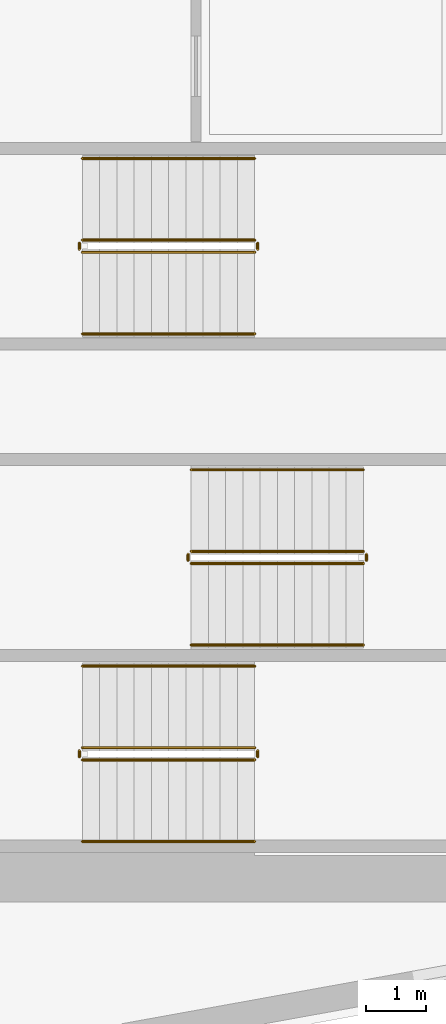
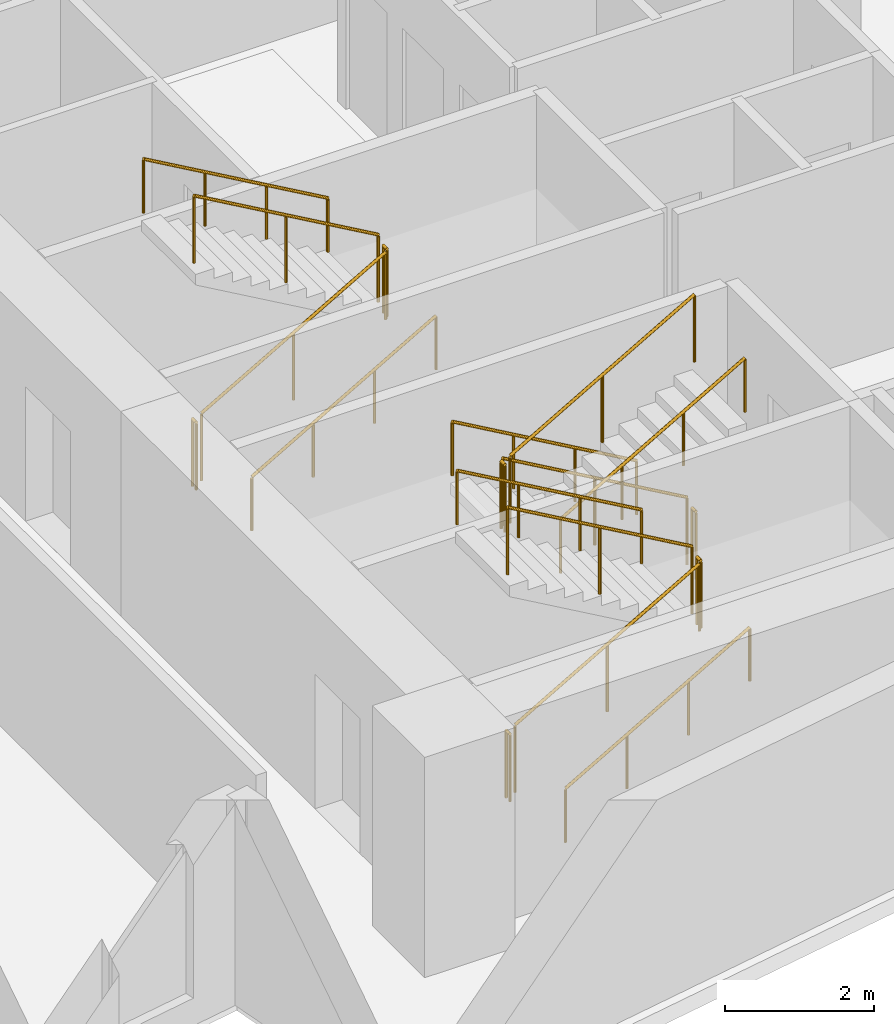
# One storey, part 17 of 18: 18 railings.
"""IFC4 building model written with IfcOpenShell, lengths in metres."""

from ifc_helpers import new_model, si_unit, direction, frame, origin, origin_2d, place, context, subcontext, project, spatial, circle, extrude, material, type_object, element, save


model = new_model("IFC4")

# Units and contexts
model_context = context("Model", 3, precision=1e-05, world=origin(), true_north=direction((0.0, 1.0)))
body_context = subcontext(model_context, "Body", "Model", "MODEL_VIEW")
ifc_project = project(units=[si_unit("LENGTHUNIT", "METRE"), si_unit("AREAUNIT", "SQUARE_METRE"), si_unit("VOLUMEUNIT", "CUBIC_METRE"), si_unit("PLANEANGLEUNIT", "RADIAN"), si_unit("MASSUNIT", "GRAM", prefix="KILO")], contexts=[model_context])

# Site, building, storey
site_placement = place(None, origin())
site = spatial("IfcSite", under=ifc_project, at=site_placement, CompositionType="ELEMENT")
building_placement = place(site_placement, origin())
building = spatial("IfcBuilding", under=site, at=building_placement, Name="Narakoshi Arena Tower", CompositionType="ELEMENT")
storey_placement = place(building_placement, frame((0.0, 0.0, 120.89990234375)))
storey = spatial("IfcBuildingStorey", under=building, at=storey_placement, Name="L32", CompositionType="ELEMENT", Elevation=120.89990234375)

# Railings
ifc_material_1 = material(Name="Clear low-iron laminated structural glass", Category="glass")
railing_type_1 = type_object("IfcRailingType", Name="RL-BAL-1100", PredefinedType="BALUSTRADE", material=ifc_material_1)
railing_1_placement = place(storey_placement, frame((74.39990234375, 36.949951171875, 0.163818359375)))
element("IfcRailing", 1, at=railing_1_placement, inside=storey, type_object=railing_type_1, Name="L32 ST1 stair guard 1", PredefinedType="BALUSTRADE", context=body_context, shape_type="SweptSolid", body=[
    extrude(circle(Radius=0.02392578125, at=origin_2d()), frame((0.0, 0.0, 1.09619140625), z_axis=(0.867244780686, 0.0, 0.497882004468), x_axis=(0.0, 1.0, 0.0)), (0.0, 0.0, 1.0), 3.286376953125),
    extrude(circle(Radius=0.02099609375, at=origin_2d()), origin(), (0.0, 0.0, 1.0), 1.072021484375),
    extrude(circle(Radius=0.02099609375, at=origin_2d()), frame((1.425048828125, 0.0, 0.818115234375)), (0.0, 0.0, 1.0), 1.072021484375),
    extrude(circle(Radius=0.02099609375, at=origin_2d()), frame((2.85009765625, 0.0, 1.63623046875)), (0.0, 0.0, 1.0), 1.072021484375),
])
railing_2_placement = place(storey_placement, frame((77.300048828125, 37.0, 1.800048828125)))
element("IfcRailing", 2, at=railing_2_placement, inside=storey, type_object=railing_type_1, Name="L32 ST1 stair guard 2", PredefinedType="BALUSTRADE", context=body_context, shape_type="SweptSolid", body=[
    extrude(circle(Radius=0.02392578125, at=origin_2d()), frame((0.0, 0.0, 1.09619140625), z_axis=(0.0, 1.0, 0.0), x_axis=(-1.0, 0.0, 0.0)), (0.0, 0.0, 1.0), 0.10009765625),
    extrude(circle(Radius=0.02099609375, at=origin_2d()), origin(), (0.0, 0.0, 1.0), 1.072021484375),
    extrude(circle(Radius=0.02099609375, at=origin_2d()), frame((0.0, 0.10009765625, 0.0)), (0.0, 0.0, 1.0), 1.072021484375),
])
railing_3_placement = place(storey_placement, frame((77.25, 37.14990234375, 1.963623046875)))
element("IfcRailing", 3, at=railing_3_placement, inside=storey, type_object=railing_type_1, Name="L32 ST1 stair guard 3", PredefinedType="BALUSTRADE", context=body_context, shape_type="SweptSolid", body=[
    extrude(circle(Radius=0.02392578125, at=origin_2d()), frame((0.0, 0.0, 1.09619140625), z_axis=(-0.86721270334, 0.0, 0.497937874806), x_axis=(0.0, -1.0, 0.0)), (0.0, 0.0, 1.0), 3.28662109375),
    extrude(circle(Radius=0.02099609375, at=origin_2d()), origin(), (0.0, 0.0, 1.0), 1.072021484375),
    extrude(circle(Radius=0.02099609375, at=origin_2d()), frame((-1.425048828125, 0.0, 0.818359375)), (0.0, 0.0, 1.0), 1.072021484375),
    extrude(circle(Radius=0.02099609375, at=origin_2d()), frame((-2.85009765625, 0.0, 1.636474609375)), (0.0, 0.0, 1.0), 1.072021484375),
])
railing_4_placement = place(storey_placement, frame((74.35009765625, 37.0, 0.0)))
element("IfcRailing", 4, at=railing_4_placement, inside=storey, type_object=railing_type_1, Name="L32 ST1 stair guard 4", PredefinedType="BALUSTRADE", context=body_context, shape_type="SweptSolid", body=[
    extrude(circle(Radius=0.02392578125, at=origin_2d()), frame((0.0, 0.0, 1.09619140625), z_axis=(0.0, 1.0, 0.0), x_axis=(-1.0, 0.0, 0.0)), (0.0, 0.0, 1.0), 0.10009765625),
    extrude(circle(Radius=0.02099609375, at=origin_2d()), origin(), (0.0, 0.0, 1.0), 1.072021484375),
    extrude(circle(Radius=0.02099609375, at=origin_2d()), frame((0.0, 0.10009765625, 0.0)), (0.0, 0.0, 1.0), 1.072021484375),
])
railing_5_placement = place(storey_placement, frame((79.050048828125, 40.39990234375, 0.163818359375)))
element("IfcRailing", 5, at=railing_5_placement, inside=storey, type_object=railing_type_1, Name="L32 ST2 stair guard 1", PredefinedType="BALUSTRADE", context=body_context, shape_type="SweptSolid", body=[
    extrude(circle(Radius=0.02392578125, at=origin_2d()), frame((0.0, 0.0, 1.09619140625), z_axis=(-0.867244780686, 0.0, 0.497882004468), x_axis=(0.0, -1.0, 0.0)), (0.0, 0.0, 1.0), 3.286376953125),
    extrude(circle(Radius=0.02099609375, at=origin_2d()), origin(), (0.0, 0.0, 1.0), 1.072021484375),
    extrude(circle(Radius=0.02099609375, at=origin_2d()), frame((-1.425048828125, 0.0, 0.818115234375)), (0.0, 0.0, 1.0), 1.072021484375),
    extrude(circle(Radius=0.02099609375, at=origin_2d()), frame((-2.85009765625, 0.0, 1.63623046875)), (0.0, 0.0, 1.0), 1.072021484375),
])
railing_6_placement = place(storey_placement, frame((76.14990234375, 40.35009765625, 1.800048828125)))
element("IfcRailing", 6, at=railing_6_placement, inside=storey, type_object=railing_type_1, Name="L32 ST2 stair guard 2", PredefinedType="BALUSTRADE", context=body_context, shape_type="SweptSolid", body=[
    extrude(circle(Radius=0.02392578125, at=origin_2d()), frame((0.0, 0.0, 1.09619140625), z_axis=(0.0, -1.0, 0.0), x_axis=(1.0, 0.0, 0.0)), (0.0, 0.0, 1.0), 0.10009765625),
    extrude(circle(Radius=0.02099609375, at=origin_2d()), origin(), (0.0, 0.0, 1.0), 1.072021484375),
    extrude(circle(Radius=0.02099609375, at=origin_2d()), frame((0.0, -0.10009765625, 0.0)), (0.0, 0.0, 1.0), 1.072021484375),
])
railing_7_placement = place(storey_placement, frame((76.199951171875, 40.199951171875, 1.963623046875)))
element("IfcRailing", 7, at=railing_7_placement, inside=storey, type_object=railing_type_1, Name="L32 ST2 stair guard 3", PredefinedType="BALUSTRADE", context=body_context, shape_type="SweptSolid", body=[
    extrude(circle(Radius=0.02392578125, at=origin_2d()), frame((0.0, 0.0, 1.09619140625), z_axis=(0.86721270334, 0.0, 0.497937874806), x_axis=(0.0, 1.0, 0.0)), (0.0, 0.0, 1.0), 3.28662109375),
    extrude(circle(Radius=0.02099609375, at=origin_2d()), origin(), (0.0, 0.0, 1.0), 1.072021484375),
    extrude(circle(Radius=0.02099609375, at=origin_2d()), frame((1.425048828125, 0.0, 0.818359375)), (0.0, 0.0, 1.0), 1.072021484375),
    extrude(circle(Radius=0.02099609375, at=origin_2d()), frame((2.85009765625, 0.0, 1.636474609375)), (0.0, 0.0, 1.0), 1.072021484375),
])
railing_8_placement = place(storey_placement, frame((79.10009765625, 40.35009765625, 0.0)))
element("IfcRailing", 8, at=railing_8_placement, inside=storey, type_object=railing_type_1, Name="L32 ST2 stair guard 4", PredefinedType="BALUSTRADE", context=body_context, shape_type="SweptSolid", body=[
    extrude(circle(Radius=0.02392578125, at=origin_2d()), frame((0.0, 0.0, 1.09619140625), z_axis=(0.0, -1.0, 0.0), x_axis=(1.0, 0.0, 0.0)), (0.0, 0.0, 1.0), 0.10009765625),
    extrude(circle(Radius=0.02099609375, at=origin_2d()), origin(), (0.0, 0.0, 1.0), 1.072021484375),
    extrude(circle(Radius=0.02099609375, at=origin_2d()), frame((0.0, -0.10009765625, 0.0)), (0.0, 0.0, 1.0), 1.072021484375),
])
railing_9_placement = place(storey_placement, frame((74.39990234375, 45.35009765625, 0.163818359375)))
element("IfcRailing", 9, at=railing_9_placement, inside=storey, type_object=railing_type_1, Name="L32 ST3 stair guard 1", PredefinedType="BALUSTRADE", context=body_context, shape_type="SweptSolid", body=[
    extrude(circle(Radius=0.02392578125, at=origin_2d()), frame((0.0, 0.0, 1.09619140625), z_axis=(0.867244780686, 0.0, 0.497882004468), x_axis=(0.0, 1.0, 0.0)), (0.0, 0.0, 1.0), 3.286376953125),
    extrude(circle(Radius=0.02099609375, at=origin_2d()), origin(), (0.0, 0.0, 1.0), 1.072021484375),
    extrude(circle(Radius=0.02099609375, at=origin_2d()), frame((1.425048828125, 0.0, 0.818115234375)), (0.0, 0.0, 1.0), 1.072021484375),
    extrude(circle(Radius=0.02099609375, at=origin_2d()), frame((2.85009765625, 0.0, 1.63623046875)), (0.0, 0.0, 1.0), 1.072021484375),
])
railing_10_placement = place(storey_placement, frame((77.300048828125, 45.39990234375, 1.800048828125)))
element("IfcRailing", 10, at=railing_10_placement, inside=storey, type_object=railing_type_1, Name="L32 ST3 stair guard 2", PredefinedType="BALUSTRADE", context=body_context, shape_type="SweptSolid", body=[
    extrude(circle(Radius=0.02392578125, at=origin_2d()), frame((0.0, 0.0, 1.09619140625), z_axis=(0.0, 1.0, 0.0), x_axis=(-1.0, 0.0, 0.0)), (0.0, 0.0, 1.0), 0.10009765625),
    extrude(circle(Radius=0.02099609375, at=origin_2d()), origin(), (0.0, 0.0, 1.0), 1.072021484375),
    extrude(circle(Radius=0.02099609375, at=origin_2d()), frame((0.0, 0.10009765625, 0.0)), (0.0, 0.0, 1.0), 1.072021484375),
])
railing_11_placement = place(storey_placement, frame((77.25, 45.550048828125, 1.963623046875)))
element("IfcRailing", 11, at=railing_11_placement, inside=storey, type_object=railing_type_1, Name="L32 ST3 stair guard 3", PredefinedType="BALUSTRADE", context=body_context, shape_type="SweptSolid", body=[
    extrude(circle(Radius=0.02392578125, at=origin_2d()), frame((0.0, 0.0, 1.09619140625), z_axis=(-0.86721270334, 0.0, 0.497937874806), x_axis=(0.0, -1.0, 0.0)), (0.0, 0.0, 1.0), 3.28662109375),
    extrude(circle(Radius=0.02099609375, at=origin_2d()), origin(), (0.0, 0.0, 1.0), 1.072021484375),
    extrude(circle(Radius=0.02099609375, at=origin_2d()), frame((-1.425048828125, 0.0, 0.818359375)), (0.0, 0.0, 1.0), 1.072021484375),
    extrude(circle(Radius=0.02099609375, at=origin_2d()), frame((-2.85009765625, 0.0, 1.636474609375)), (0.0, 0.0, 1.0), 1.072021484375),
])
railing_12_placement = place(storey_placement, frame((74.35009765625, 45.39990234375, 0.0)))
element("IfcRailing", 12, at=railing_12_placement, inside=storey, type_object=railing_type_1, Name="L32 ST3 stair guard 4", PredefinedType="BALUSTRADE", context=body_context, shape_type="SweptSolid", body=[
    extrude(circle(Radius=0.02392578125, at=origin_2d()), frame((0.0, 0.0, 1.09619140625), z_axis=(0.0, 1.0, 0.0), x_axis=(-1.0, 0.0, 0.0)), (0.0, 0.0, 1.0), 0.10009765625),
    extrude(circle(Radius=0.02099609375, at=origin_2d()), origin(), (0.0, 0.0, 1.0), 1.072021484375),
    extrude(circle(Radius=0.02099609375, at=origin_2d()), frame((0.0, 0.10009765625, 0.0)), (0.0, 0.0, 1.0), 1.072021484375),
])
ifc_material_2 = material(Name="Brushed bronze stainless steel", Category="steel")
railing_type_2 = type_object("IfcRailingType", Name="RL-HND-900", PredefinedType="HANDRAIL", material=ifc_material_2)
railing_13_placement = place(storey_placement, frame((74.39990234375, 35.60009765625, 0.163818359375)))
element("IfcRailing", 13, at=railing_13_placement, inside=storey, type_object=railing_type_2, Name="L32 ST1 stair handrail 1", PredefinedType="HANDRAIL", context=body_context, shape_type="SweptSolid", body=[
    extrude(circle(Radius=0.02392578125, at=origin_2d()), frame((0.0, 0.0, 0.8759765625), z_axis=(0.867244780686, 0.0, 0.497882004468), x_axis=(0.0, 1.0, 0.0)), (0.0, 0.0, 1.0), 3.286376953125),
    extrude(circle(Radius=0.02099609375, at=origin_2d()), origin(), (0.0, 0.0, 1.0), 0.851806640625),
    extrude(circle(Radius=0.02099609375, at=origin_2d()), frame((0.949951171875, 0.0, 0.54541015625)), (0.0, 0.0, 1.0), 0.851806640625),
    extrude(circle(Radius=0.02099609375, at=origin_2d()), frame((1.900146484375, 0.0, 1.0908203125)), (0.0, 0.0, 1.0), 0.851806640625),
    extrude(circle(Radius=0.02099609375, at=origin_2d()), frame((2.85009765625, 0.0, 1.63623046875)), (0.0, 0.0, 1.0), 0.851806640625),
])
railing_14_placement = place(storey_placement, frame((77.25, 38.5, 1.963623046875)))
element("IfcRailing", 14, at=railing_14_placement, inside=storey, type_object=railing_type_2, Name="L32 ST1 stair handrail 2", PredefinedType="HANDRAIL", context=body_context, shape_type="SweptSolid", body=[
    extrude(circle(Radius=0.02392578125, at=origin_2d()), frame((0.0, 0.0, 0.8759765625), z_axis=(-0.86721270334, 0.0, 0.497937874806), x_axis=(0.0, -1.0, 0.0)), (0.0, 0.0, 1.0), 3.28662109375),
    extrude(circle(Radius=0.02099609375, at=origin_2d()), origin(), (0.0, 0.0, 1.0), 0.851806640625),
    extrude(circle(Radius=0.02099609375, at=origin_2d()), frame((-0.949951171875, 0.0, 0.54541015625)), (0.0, 0.0, 1.0), 0.851806640625),
    extrude(circle(Radius=0.02099609375, at=origin_2d()), frame((-1.900146484375, 0.0, 1.091064453125)), (0.0, 0.0, 1.0), 0.851806640625),
    extrude(circle(Radius=0.02099609375, at=origin_2d()), frame((-2.85009765625, 0.0, 1.636474609375)), (0.0, 0.0, 1.0), 0.851806640625),
])
railing_15_placement = place(storey_placement, frame((79.050048828125, 41.75, 0.163818359375)))
element("IfcRailing", 15, at=railing_15_placement, inside=storey, type_object=railing_type_2, Name="L32 ST2 stair handrail 1", PredefinedType="HANDRAIL", context=body_context, shape_type="SweptSolid", body=[
    extrude(circle(Radius=0.02392578125, at=origin_2d()), frame((0.0, 0.0, 0.8759765625), z_axis=(-0.867244780686, 0.0, 0.497882004468), x_axis=(0.0, -1.0, 0.0)), (0.0, 0.0, 1.0), 3.286376953125),
    extrude(circle(Radius=0.02099609375, at=origin_2d()), origin(), (0.0, 0.0, 1.0), 0.851806640625),
    extrude(circle(Radius=0.02099609375, at=origin_2d()), frame((-0.949951171875, 0.0, 0.54541015625)), (0.0, 0.0, 1.0), 0.851806640625),
    extrude(circle(Radius=0.02099609375, at=origin_2d()), frame((-1.900146484375, 0.0, 1.0908203125)), (0.0, 0.0, 1.0), 0.851806640625),
    extrude(circle(Radius=0.02099609375, at=origin_2d()), frame((-2.85009765625, 0.0, 1.63623046875)), (0.0, 0.0, 1.0), 0.851806640625),
])
railing_16_placement = place(storey_placement, frame((76.199951171875, 38.85009765625, 1.963623046875)))
element("IfcRailing", 16, at=railing_16_placement, inside=storey, type_object=railing_type_2, Name="L32 ST2 stair handrail 2", PredefinedType="HANDRAIL", context=body_context, shape_type="SweptSolid", body=[
    extrude(circle(Radius=0.02392578125, at=origin_2d()), frame((0.0, 0.0, 0.8759765625), z_axis=(0.86721270334, 0.0, 0.497937874806), x_axis=(0.0, 1.0, 0.0)), (0.0, 0.0, 1.0), 3.28662109375),
    extrude(circle(Radius=0.02099609375, at=origin_2d()), origin(), (0.0, 0.0, 1.0), 0.851806640625),
    extrude(circle(Radius=0.02099609375, at=origin_2d()), frame((0.949951171875, 0.0, 0.54541015625)), (0.0, 0.0, 1.0), 0.851806640625),
    extrude(circle(Radius=0.02099609375, at=origin_2d()), frame((1.900146484375, 0.0, 1.091064453125)), (0.0, 0.0, 1.0), 0.851806640625),
    extrude(circle(Radius=0.02099609375, at=origin_2d()), frame((2.85009765625, 0.0, 1.636474609375)), (0.0, 0.0, 1.0), 0.851806640625),
])
railing_17_placement = place(storey_placement, frame((74.39990234375, 44.0, 0.163818359375)))
element("IfcRailing", 17, at=railing_17_placement, inside=storey, type_object=railing_type_2, Name="L32 ST3 stair handrail 1", PredefinedType="HANDRAIL", context=body_context, shape_type="SweptSolid", body=[
    extrude(circle(Radius=0.02392578125, at=origin_2d()), frame((0.0, 0.0, 0.8759765625), z_axis=(0.867244780686, 0.0, 0.497882004468), x_axis=(0.0, 1.0, 0.0)), (0.0, 0.0, 1.0), 3.286376953125),
    extrude(circle(Radius=0.02099609375, at=origin_2d()), origin(), (0.0, 0.0, 1.0), 0.851806640625),
    extrude(circle(Radius=0.02099609375, at=origin_2d()), frame((0.949951171875, 0.0, 0.54541015625)), (0.0, 0.0, 1.0), 0.851806640625),
    extrude(circle(Radius=0.02099609375, at=origin_2d()), frame((1.900146484375, 0.0, 1.0908203125)), (0.0, 0.0, 1.0), 0.851806640625),
    extrude(circle(Radius=0.02099609375, at=origin_2d()), frame((2.85009765625, 0.0, 1.63623046875)), (0.0, 0.0, 1.0), 0.851806640625),
])
railing_18_placement = place(storey_placement, frame((77.25, 46.89990234375, 1.963623046875)))
element("IfcRailing", 18, at=railing_18_placement, inside=storey, type_object=railing_type_2, Name="L32 ST3 stair handrail 2", PredefinedType="HANDRAIL", context=body_context, shape_type="SweptSolid", body=[
    extrude(circle(Radius=0.02392578125, at=origin_2d()), frame((0.0, 0.0, 0.8759765625), z_axis=(-0.86721270334, 0.0, 0.497937874806), x_axis=(0.0, -1.0, 0.0)), (0.0, 0.0, 1.0), 3.28662109375),
    extrude(circle(Radius=0.02099609375, at=origin_2d()), origin(), (0.0, 0.0, 1.0), 0.851806640625),
    extrude(circle(Radius=0.02099609375, at=origin_2d()), frame((-0.949951171875, 0.0, 0.54541015625)), (0.0, 0.0, 1.0), 0.851806640625),
    extrude(circle(Radius=0.02099609375, at=origin_2d()), frame((-1.900146484375, 0.0, 1.091064453125)), (0.0, 0.0, 1.0), 0.851806640625),
    extrude(circle(Radius=0.02099609375, at=origin_2d()), frame((-2.85009765625, 0.0, 1.636474609375)), (0.0, 0.0, 1.0), 0.851806640625),
])

save(model, "model.ifc")
